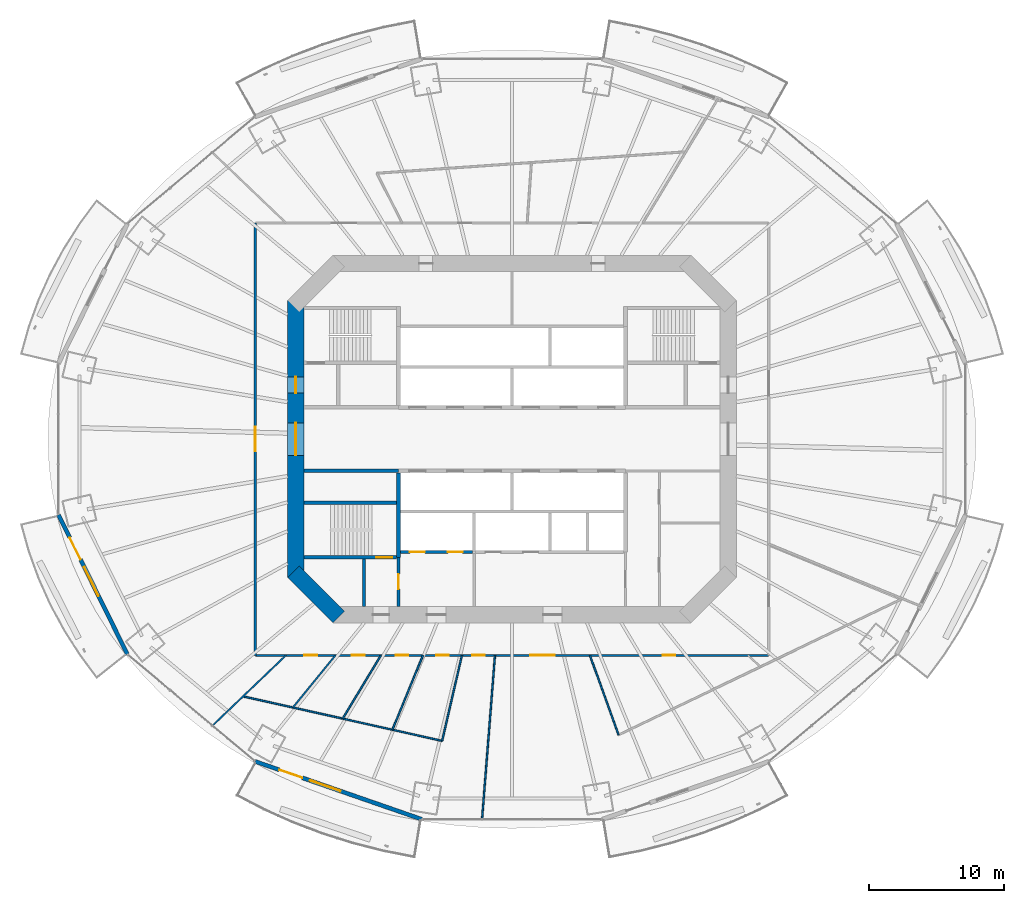
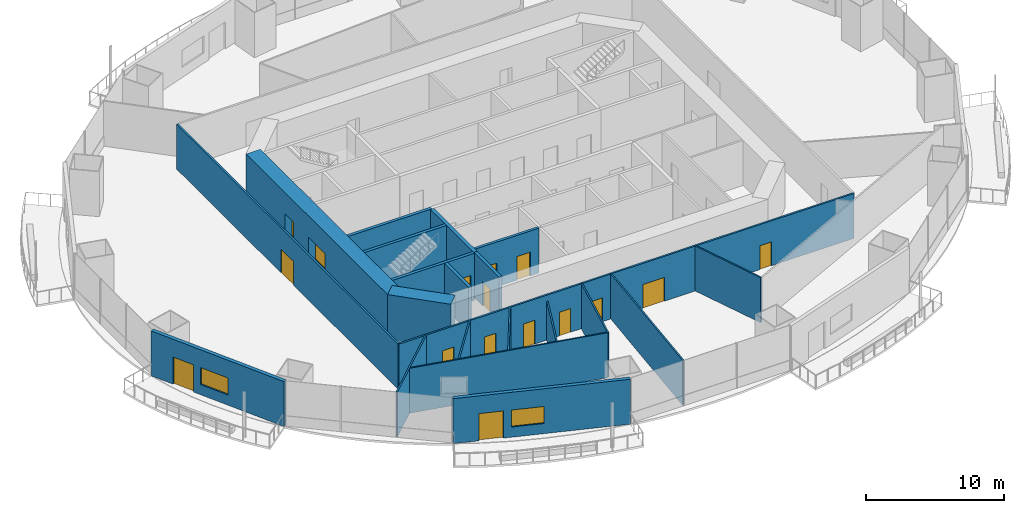
# One storey, part 13 of 22: 21 walls, 16 doors, 2 windows, 18 openings.
"""IFC4 building model written with IfcOpenShell, lengths in metres."""

from ifc_helpers import new_model, si_unit, direction, frame, frame_2d, origin, place, context, subcontext, project, spatial, rectangle, extrude, material, layer, layer_set, type_object, element, fill, save


model = new_model("IFC4")

# Units and contexts
model_context = context("Model", 3, precision=1e-05, world=origin(), true_north=direction((0.0, 1.0)))
body_context = subcontext(model_context, "Body", "Model", "MODEL_VIEW")
ifc_project = project(units=[si_unit("LENGTHUNIT", "METRE"), si_unit("AREAUNIT", "SQUARE_METRE"), si_unit("VOLUMEUNIT", "CUBIC_METRE"), si_unit("PLANEANGLEUNIT", "RADIAN"), si_unit("MASSUNIT", "GRAM", prefix="KILO")], contexts=[model_context])

# Site, building, storey
site_placement = place(None, origin())
site = spatial("IfcSite", under=ifc_project, at=site_placement, CompositionType="ELEMENT")
building_placement = place(site_placement, origin())
building = spatial("IfcBuilding", under=site, at=building_placement, Name="Marenthal Gate Tower", CompositionType="ELEMENT")
storey_placement = place(building_placement, frame((0.0, 0.0, 116.0)))
storey = spatial("IfcBuildingStorey", under=building, at=storey_placement, Name="L24", CompositionType="ELEMENT", Elevation=116.0)

# Wall, openings, doors
ifc_material_1 = material(Name="Concrete 60 MPa", Category="concrete")
ifc_layer_1 = layer(ifc_material_1, 1.199951171875)
ifc_layer_set_1 = layer_set([ifc_layer_1], Name="Core shear wall 1200")
wall_type_1 = type_object("IfcWallType", Name="Core shear wall 1200", PredefinedType="SHEAR", material=ifc_layer_set_1)
wall_1_placement = place(storey_placement, frame((-16.0, 10.24853515625, -0.179931640625), z_axis=(0.0, 0.0, 1.0), x_axis=(0.0, -1.0, 0.0)))
wall_1 = element("IfcWall", 1, at=wall_1_placement, inside=storey, type_object=wall_type_1, Name="Core wall 06", PredefinedType="SHEAR", context=body_context, shape_type="SweptSolid", body=[
    extrude(rectangle(XDim=20.4970703125, YDim=1.199951171875, at=frame_2d((10.24853515625, 0.0))), origin(), (0.0, 0.0, 1.0), 4.14990234375),
])
opening_1_placement = place(wall_1_placement, frame((9.048583984375, 0.0, 0.179931640625)))
opening_1 = element("IfcOpeningElement", 2, at=opening_1_placement, cuts=wall_1, Name="Opening D003.01", PredefinedType="OPENING", context=body_context, shape_type="SweptSolid", body=[
    extrude(rectangle(XDim=2.39990234375, YDim=2.10009765625, at=frame_2d((1.199951171875, 1.050048828125))), frame((0.0, 0.60986328125, 0.0), z_axis=(0.0, -1.0, 0.0), x_axis=(1.0, 0.0, 0.0)), (0.0, 0.0, 1.0), 1.219970703125),
])
opening_2_placement = place(wall_1_placement, frame((5.6484375, 0.0, 0.179931640625)))
opening_2 = element("IfcOpeningElement", 3, at=opening_2_placement, cuts=wall_1, Name="Opening D001.04", PredefinedType="OPENING", context=body_context, shape_type="SweptSolid", body=[
    extrude(rectangle(XDim=1.199951171875, YDim=2.10009765625, at=frame_2d((0.60009765625, 1.050048828125))), frame((0.0, 0.60986328125, 0.0), z_axis=(0.0, -1.0, 0.0), x_axis=(1.0, 0.0, 0.0)), (0.0, 0.0, 1.0), 1.219970703125),
])
ifc_material_2 = material(Name="Steel fire door", Category="steel")
door_type_1 = type_object("IfcDoorType", Name="Double fire door FD 45 2400 x 2100", OperationType="DOUBLE_DOOR_SINGLE_SWING", PredefinedType="DOOR", material=ifc_material_2)
door_1_placement = place(opening_1_placement, origin())
door_1 = element("IfcDoor", 4, at=door_1_placement, inside=storey, type_object=door_type_1, Name="Door D003.01", OperationType="DOUBLE_DOOR_SINGLE_SWING", OverallHeight=2.10009765625, OverallWidth=2.39990234375, PredefinedType="DOOR", context=body_context, shape_type="SweptSolid", body=[
    extrude(rectangle(XDim=2.39990234375, YDim=2.10009765625, at=frame_2d((1.199951171875, 1.050048828125))), frame((0.0, 0.02490234375, 0.0), z_axis=(0.0, -1.0, 0.0), x_axis=(1.0, 0.0, 0.0)), (0.0, 0.0, 1.0), 0.050048828125),
])
fill(opening_1, door_1)
ifc_material_3 = material(Name="Steel fire door", Category="steel")
door_type_2 = type_object("IfcDoorType", Name="Fire door FD 90 1200 x 2100", OperationType="NOTDEFINED", PredefinedType="DOOR", material=ifc_material_3)
door_2_placement = place(opening_2_placement, origin())
door_2 = element("IfcDoor", 5, at=door_2_placement, inside=storey, type_object=door_type_2, Name="Door D001.04", OperationType="SINGLE_SWING_RIGHT", OverallHeight=2.10009765625, OverallWidth=1.199951171875, PredefinedType="DOOR", context=body_context, shape_type="SweptSolid", body=[
    extrude(rectangle(XDim=1.199951171875, YDim=2.10009765625, at=frame_2d((0.60009765625, 1.050048828125))), frame((0.0, 0.02490234375, 0.0), z_axis=(0.0, -1.0, 0.0), x_axis=(1.0, 0.0, 0.0)), (0.0, 0.0, 1.0), 0.050048828125),
])
fill(opening_2, door_2)

# Walls
wall_2_placement = place(storey_placement, frame((-16.17578125, -9.82421875, -0.179931640625), z_axis=(0.0, 0.0, 1.0), x_axis=(0.707106781187, -0.707106781187, 0.0)))
element("IfcWall", 6, at=wall_2_placement, inside=storey, type_object=wall_type_1, Name="Core wall 07", PredefinedType="SHEAR", context=body_context, shape_type="SweptSolid", body=[
    extrude(rectangle(XDim=4.73974609375, YDim=1.199951171875, at=frame_2d((2.369873046875, 0.0))), origin(), (0.0, 0.0, 1.0), 4.14990234375),
])
ifc_material_4 = material(Name="Concrete 50 MPa", Category="concrete")
ifc_layer_2 = layer(ifc_material_4, 0.300048828125)
ifc_layer_set_2 = layer_set([ifc_layer_2], Name="Hoistway shear wall 300")
wall_type_2 = type_object("IfcWallType", Name="Hoistway shear wall 300", PredefinedType="SHEAR", material=ifc_layer_set_2)
wall_3_placement = place(storey_placement, frame((-8.39990234375, -8.75, -0.179931640625), z_axis=(0.0, 0.0, 1.0), x_axis=(0.0, 1.0, 0.0)))
element("IfcWall", 7, at=wall_3_placement, inside=storey, type_object=wall_type_2, Name="Hoistway wall 30", PredefinedType="SHEAR", context=body_context, shape_type="SweptSolid", body=[
    extrude(rectangle(XDim=6.25, YDim=0.300048828125, at=frame_2d((3.125, 0.0))), origin(), (0.0, 0.0, 1.0), 4.14990234375),
])

# Wall, openings, doors
ifc_material_5 = material(Name="Concrete 40 MPa", Category="concrete")
ifc_layer_3 = layer(ifc_material_5, 0.219970703125)
ifc_layer_set_3 = layer_set([ifc_layer_3], Name="Hoistway wall 220")
wall_type_3 = type_object("IfcWallType", Name="Hoistway wall 220", PredefinedType="STANDARD", material=ifc_layer_set_3)
wall_4_placement = place(storey_placement, frame((-8.25, -8.35009765625, 0.0), z_axis=(0.0, 0.0, 1.0), x_axis=(1.0, 0.0, 0.0)))
wall_4 = element("IfcWall", 8, at=wall_4_placement, inside=storey, type_object=wall_type_3, Name="Hoistway wall 10", PredefinedType="STANDARD", context=body_context, shape_type="SweptSolid", body=[
    extrude(rectangle(XDim=5.340087890625, YDim=0.219970703125, at=frame_2d((2.669921875, 0.0))), origin(), (0.0, 0.0, 1.0), 3.969970703125),
])
opening_3_placement = place(wall_4_placement, frame((0.699951171875, 0.0, 0.0)))
opening_3 = element("IfcOpeningElement", 9, at=opening_3_placement, cuts=wall_4, Name="Opening LD-LF1", PredefinedType="OPENING", context=body_context, shape_type="SweptSolid", body=[
    extrude(rectangle(XDim=1.10009765625, YDim=2.10009765625, at=frame_2d((0.550048828125, 1.050048828125))), frame((0.0, 0.1201171875, 0.0), z_axis=(0.0, -1.0, 0.0), x_axis=(1.0, 0.0, 0.0)), (0.0, 0.0, 1.0), 0.239990234375),
])
opening_4_placement = place(wall_4_placement, frame((3.5, 0.0, 0.0)))
opening_4 = element("IfcOpeningElement", 10, at=opening_4_placement, cuts=wall_4, Name="Opening LD-LF2", PredefinedType="OPENING", context=body_context, shape_type="SweptSolid", body=[
    extrude(rectangle(XDim=1.10009765625, YDim=2.10009765625, at=frame_2d((0.550048828125, 1.050048828125))), frame((0.0, 0.1201171875, 0.0), z_axis=(0.0, -1.0, 0.0), x_axis=(1.0, 0.0, 0.0)), (0.0, 0.0, 1.0), 0.239990234375),
])
ifc_material_6 = material(Name="Stainless steel sliding door", Category="steel")
door_type_3 = type_object("IfcDoorType", Name="Lift landing door FD 90 1100 x 2100", OperationType="DOUBLE_DOOR_SLIDING", PredefinedType="DOOR", material=ifc_material_6)
door_3_placement = place(opening_3_placement, origin())
door_3 = element("IfcDoor", 11, at=door_3_placement, inside=storey, type_object=door_type_3, Name="Lift landing door LF1", OperationType="DOUBLE_DOOR_SLIDING", OverallHeight=2.10009765625, OverallWidth=1.10009765625, PredefinedType="DOOR", context=body_context, shape_type="SweptSolid", body=[
    extrude(rectangle(XDim=1.10009765625, YDim=2.10009765625, at=frame_2d((0.550048828125, 1.050048828125))), frame((0.0, 0.02490234375, 0.0), z_axis=(0.0, -1.0, 0.0), x_axis=(1.0, 0.0, 0.0)), (0.0, 0.0, 1.0), 0.050048828125),
])
fill(opening_3, door_3)
door_4_placement = place(opening_4_placement, origin())
door_4 = element("IfcDoor", 12, at=door_4_placement, inside=storey, type_object=door_type_3, Name="Lift landing door LF2", OperationType="DOUBLE_DOOR_SLIDING", OverallHeight=2.10009765625, OverallWidth=1.10009765625, PredefinedType="DOOR", context=body_context, shape_type="SweptSolid", body=[
    extrude(rectangle(XDim=1.10009765625, YDim=2.10009765625, at=frame_2d((0.550048828125, 1.050048828125))), frame((0.0, 0.02490234375, 0.0), z_axis=(0.0, -1.0, 0.0), x_axis=(1.0, 0.0, 0.0)), (0.0, 0.0, 1.0), 0.050048828125),
])
fill(opening_4, door_4)

# Walls
ifc_material_7 = material(Name="Gypsum board on steel studs", Category="steel")
ifc_layer_4 = layer(ifc_material_7, 0.1201171875)
ifc_layer_set_4 = layer_set([ifc_layer_4], Name="Partition 120")
wall_type_4 = type_object("IfcWallType", Name="Partition 120", PredefinedType="PARTITIONING", material=ifc_layer_set_4)
wall_5_placement = place(storey_placement, frame((-19.902587890625, -19.039306640625, 0.0), z_axis=(0.0, 0.0, 1.0), x_axis=(0.975911899849, -0.218164991996, 0.0)))
element("IfcWall", 13, at=wall_5_placement, inside=storey, type_object=wall_type_4, Name="Partition wall 47", PredefinedType="PARTITIONING", context=body_context, shape_type="SweptSolid", body=[
    extrude(rectangle(XDim=15.094970703125, YDim=0.1201171875, at=frame_2d((7.54736328125, 0.0))), origin(), (0.0, 0.0, 1.0), 3.969970703125),
])
wall_6_placement = place(storey_placement, frame((-16.7255859375, -16.0, 0.0), z_axis=(0.0, 0.0, 1.0), x_axis=(-0.722599633889, -0.691266785767, 0.0)))
element("IfcWall", 14, at=wall_6_placement, inside=storey, type_object=wall_type_4, Name="Partition wall 50", PredefinedType="PARTITIONING", context=body_context, shape_type="SweptSolid", body=[
    extrude(rectangle(XDim=7.53466796875, YDim=0.1201171875, at=frame_2d((3.767333984375, 0.0))), origin(), (0.0, 0.0, 1.0), 3.969970703125),
])
wall_7_placement = place(storey_placement, frame((-16.2197265625, -19.862548828125, 0.0), z_axis=(0.0, 0.0, 1.0), x_axis=(0.632491004323, 0.774567704884, 0.0)))
element("IfcWall", 15, at=wall_7_placement, inside=storey, type_object=wall_type_4, Name="Partition wall 52", PredefinedType="PARTITIONING", context=body_context, shape_type="SweptSolid", body=[
    extrude(rectangle(XDim=4.98681640625, YDim=0.1201171875, at=frame_2d((2.493408203125, 0.0))), origin(), (0.0, 0.0, 1.0), 3.969970703125),
])
wall_8_placement = place(storey_placement, frame((-12.536865234375, -20.685791015625, 0.0), z_axis=(0.0, 0.0, 1.0), x_axis=(0.518297766023, 0.855200225523, 0.0)))
element("IfcWall", 16, at=wall_8_placement, inside=storey, type_object=wall_type_4, Name="Partition wall 53", PredefinedType="PARTITIONING", context=body_context, shape_type="SweptSolid", body=[
    extrude(rectangle(XDim=5.479248046875, YDim=0.1201171875, at=frame_2d((2.73974609375, 0.0))), origin(), (0.0, 0.0, 1.0), 3.969970703125),
])
wall_9_placement = place(storey_placement, frame((-8.85400390625, -21.509033203125, 0.0), z_axis=(0.0, 0.0, 1.0), x_axis=(0.380663236363, 0.92471373975, 0.0)))
element("IfcWall", 17, at=wall_9_placement, inside=storey, type_object=wall_type_4, Name="Partition wall 55", PredefinedType="PARTITIONING", context=body_context, shape_type="SweptSolid", body=[
    extrude(rectangle(XDim=5.95751953125, YDim=0.1201171875, at=frame_2d((2.978759765625, 0.0))), origin(), (0.0, 0.0, 1.0), 3.426025390625),
])
wall_10_placement = place(storey_placement, frame((-5.171142578125, -22.33251953125, 0.0), z_axis=(0.0, 0.0, 1.0), x_axis=(0.225583629602, 0.974223806964, 0.0)))
element("IfcWall", 18, at=wall_10_placement, inside=storey, type_object=wall_type_4, Name="Partition wall 56", PredefinedType="PARTITIONING", context=body_context, shape_type="SweptSolid", body=[
    extrude(rectangle(XDim=6.5, YDim=0.1201171875, at=frame_2d((3.25, 0.0))), origin(), (0.0, 0.0, 1.0), 3.969970703125),
])
wall_11_placement = place(storey_placement, frame((-1.260009765625, -16.0, 0.0), z_axis=(0.0, 0.0, 1.0), x_axis=(-0.078510530824, -0.996913284368, 0.0)))
element("IfcWall", 19, at=wall_11_placement, inside=storey, type_object=wall_type_4, Name="Partition wall 57", PredefinedType="PARTITIONING", context=body_context, shape_type="SweptSolid", body=[
    extrude(rectangle(XDim=12.17431640625, YDim=0.1201171875, at=frame_2d((6.087158203125, 0.0))), origin(), (0.0, 0.0, 1.0), 3.969970703125),
])
wall_12_placement = place(storey_placement, frame((7.887451171875, -21.892333984375, 0.0), z_axis=(0.0, 0.0, 1.0), x_axis=(-0.338974817015, 0.940795447177, 0.0)))
element("IfcWall", 20, at=wall_12_placement, inside=storey, type_object=wall_type_4, Name="Partition wall 60", PredefinedType="PARTITIONING", context=body_context, shape_type="SweptSolid", body=[
    extrude(rectangle(XDim=6.26318359375, YDim=0.1201171875, at=frame_2d((3.131591796875, 0.0))), origin(), (0.0, 0.0, 1.0), 3.969970703125),
])

# Wall, opening, door
ifc_material_8 = material(Name="Gypsum board on steel studs", Category="steel")
ifc_layer_5 = layer(ifc_material_8, 0.14990234375)
ifc_layer_set_5 = layer_set([ifc_layer_5], Name="Partition 150")
wall_type_5 = type_object("IfcWallType", Name="Partition 150", PredefinedType="PARTITIONING", material=ifc_layer_set_5)
wall_13_placement = place(storey_placement, frame((-19.0, -16.0, 0.0), z_axis=(0.0, 0.0, 1.0), x_axis=(0.0, 1.0, 0.0)))
wall_13 = element("IfcWall", 21, at=wall_13_placement, inside=storey, type_object=wall_type_5, Name="Partition wall 48", PredefinedType="PARTITIONING", context=body_context, shape_type="SweptSolid", body=[
    extrude(rectangle(XDim=32.0, YDim=0.14990234375, at=frame_2d((16.0, 0.0))), origin(), (0.0, 0.0, 1.0), 3.969970703125),
])
opening_5_placement = place(wall_13_placement, frame((15.10009765625, 0.0, 0.0)))
opening_5 = element("IfcOpeningElement", 22, at=opening_5_placement, cuts=wall_13, Name="Opening D014.02", PredefinedType="OPENING", context=body_context, shape_type="SweptSolid", body=[
    extrude(rectangle(XDim=1.800048828125, YDim=2.10009765625, at=frame_2d((0.89990234375, 1.050048828125))), frame((0.0, 0.0849609375, 0.0), z_axis=(0.0, -1.0, 0.0), x_axis=(1.0, 0.0, 0.0)), (0.0, 0.0, 1.0), 0.169921875),
])
ifc_material_9 = material(Name="Timber door", Category="wood")
door_type_4 = type_object("IfcDoorType", Name="Double door 1800 x 2100", OperationType="DOUBLE_DOOR_SINGLE_SWING", PredefinedType="DOOR", material=ifc_material_9)
door_5_placement = place(opening_5_placement, origin())
door_5 = element("IfcDoor", 23, at=door_5_placement, inside=storey, type_object=door_type_4, Name="Door D014.02", OperationType="DOUBLE_DOOR_SINGLE_SWING", OverallHeight=2.10009765625, OverallWidth=1.800048828125, PredefinedType="DOOR", context=body_context, shape_type="SweptSolid", body=[
    extrude(rectangle(XDim=1.800048828125, YDim=2.10009765625, at=frame_2d((0.89990234375, 1.050048828125))), frame((0.0, 0.02490234375, 0.0), z_axis=(0.0, -1.0, 0.0), x_axis=(1.0, 0.0, 0.0)), (0.0, 0.0, 1.0), 0.050048828125),
])
fill(opening_5, door_5)

# Wall, openings, doors
wall_14_placement = place(storey_placement, frame((19.0, -16.0, 0.0), z_axis=(0.0, 0.0, 1.0), x_axis=(-1.0, 0.0, 0.0)))
wall_14 = element("IfcWall", 24, at=wall_14_placement, inside=storey, type_object=wall_type_5, Name="Partition wall 64", PredefinedType="PARTITIONING", context=body_context, shape_type="SweptSolid", body=[
    extrude(rectangle(XDim=38.0, YDim=0.14990234375, at=frame_2d((19.0, 0.0))), origin(), (0.0, 0.0, 1.0), 3.969970703125),
])
opening_6_placement = place(wall_14_placement, frame((33.4208984375, 0.0, 0.0)))
opening_6 = element("IfcOpeningElement", 25, at=opening_6_placement, cuts=wall_14, Name="Opening D016.03", PredefinedType="OPENING", context=body_context, shape_type="SweptSolid", body=[
    extrude(rectangle(XDim=0.949951171875, YDim=2.10009765625, at=frame_2d((0.47509765625, 1.050048828125))), frame((0.0, 0.0849609375, 0.0), z_axis=(0.0, -1.0, 0.0), x_axis=(1.0, 0.0, 0.0)), (0.0, 0.0, 1.0), 0.169921875),
])
opening_7_placement = place(wall_14_placement, frame((29.906982421875, 0.0, 0.0)))
opening_7 = element("IfcOpeningElement", 26, at=opening_7_placement, cuts=wall_14, Name="Opening D016.04", PredefinedType="OPENING", context=body_context, shape_type="SweptSolid", body=[
    extrude(rectangle(XDim=0.949951171875, YDim=2.10009765625, at=frame_2d((0.47509765625, 1.050048828125))), frame((0.0, 0.0849609375, 0.0), z_axis=(0.0, -1.0, 0.0), x_axis=(1.0, 0.0, 0.0)), (0.0, 0.0, 1.0), 0.169921875),
])
opening_8_placement = place(wall_14_placement, frame((26.666015625, 0.0, 0.0)))
opening_8 = element("IfcOpeningElement", 27, at=opening_8_placement, cuts=wall_14, Name="Opening D016.05", PredefinedType="OPENING", context=body_context, shape_type="SweptSolid", body=[
    extrude(rectangle(XDim=0.949951171875, YDim=2.10009765625, at=frame_2d((0.47509765625, 1.050048828125))), frame((0.0, 0.0849609375, 0.0), z_axis=(0.0, -1.0, 0.0), x_axis=(1.0, 0.0, 0.0)), (0.0, 0.0, 1.0), 0.169921875),
])
opening_9_placement = place(wall_14_placement, frame((23.669921875, 0.0, 0.0)))
opening_9 = element("IfcOpeningElement", 28, at=opening_9_placement, cuts=wall_14, Name="Opening D016.06", PredefinedType="OPENING", context=body_context, shape_type="SweptSolid", body=[
    extrude(rectangle(XDim=0.949951171875, YDim=2.10009765625, at=frame_2d((0.47509765625, 1.050048828125))), frame((0.0, 0.0849609375, 0.0), z_axis=(0.0, -1.0, 0.0), x_axis=(1.0, 0.0, 0.0)), (0.0, 0.0, 1.0), 0.169921875),
])
opening_10_placement = place(wall_14_placement, frame((21.008056640625, 0.0, 0.0)))
opening_10 = element("IfcOpeningElement", 29, at=opening_10_placement, cuts=wall_14, Name="Opening D016.07", PredefinedType="OPENING", context=body_context, shape_type="SweptSolid", body=[
    extrude(rectangle(XDim=0.949951171875, YDim=2.10009765625, at=frame_2d((0.47509765625, 1.050048828125))), frame((0.0, 0.0849609375, 0.0), z_axis=(0.0, -1.0, 0.0), x_axis=(1.0, 0.0, 0.0)), (0.0, 0.0, 1.0), 0.169921875),
])
opening_11_placement = place(wall_14_placement, frame((6.912109375, 0.0, 0.0)))
opening_11 = element("IfcOpeningElement", 30, at=opening_11_placement, cuts=wall_14, Name="Opening D016.08", PredefinedType="OPENING", context=body_context, shape_type="SweptSolid", body=[
    extrude(rectangle(XDim=0.949951171875, YDim=2.10009765625, at=frame_2d((0.47509765625, 1.050048828125))), frame((0.0, 0.0849609375, 0.0), z_axis=(0.0, -1.0, 0.0), x_axis=(1.0, 0.0, 0.0)), (0.0, 0.0, 1.0), 0.169921875),
])
opening_12_placement = place(wall_14_placement, frame((15.847900390625, 0.0, 0.0)))
opening_12 = element("IfcOpeningElement", 31, at=opening_12_placement, cuts=wall_14, Name="Opening D014.03", PredefinedType="OPENING", context=body_context, shape_type="SweptSolid", body=[
    extrude(rectangle(XDim=1.800048828125, YDim=2.10009765625, at=frame_2d((0.89990234375, 1.050048828125))), frame((0.0, 0.0849609375, 0.0), z_axis=(0.0, -1.0, 0.0), x_axis=(1.0, 0.0, 0.0)), (0.0, 0.0, 1.0), 0.169921875),
])
ifc_material_10 = material(Name="Timber door", Category="wood")
door_type_5 = type_object("IfcDoorType", Name="Door 950 x 2100", OperationType="NOTDEFINED", PredefinedType="DOOR", material=ifc_material_10)
door_6_placement = place(opening_6_placement, origin())
door_6 = element("IfcDoor", 32, at=door_6_placement, inside=storey, type_object=door_type_5, Name="Door D016.03", OperationType="SINGLE_SWING_RIGHT", OverallHeight=2.10009765625, OverallWidth=0.949951171875, PredefinedType="DOOR", context=body_context, shape_type="SweptSolid", body=[
    extrude(rectangle(XDim=0.949951171875, YDim=2.10009765625, at=frame_2d((0.47509765625, 1.050048828125))), frame((0.0, 0.02490234375, 0.0), z_axis=(0.0, -1.0, 0.0), x_axis=(1.0, 0.0, 0.0)), (0.0, 0.0, 1.0), 0.050048828125),
])
fill(opening_6, door_6)
door_7_placement = place(opening_7_placement, origin())
door_7 = element("IfcDoor", 33, at=door_7_placement, inside=storey, type_object=door_type_5, Name="Door D016.04", OperationType="SINGLE_SWING_RIGHT", OverallHeight=2.10009765625, OverallWidth=0.949951171875, PredefinedType="DOOR", context=body_context, shape_type="SweptSolid", body=[
    extrude(rectangle(XDim=0.949951171875, YDim=2.10009765625, at=frame_2d((0.47509765625, 1.050048828125))), frame((0.0, 0.02490234375, 0.0), z_axis=(0.0, -1.0, 0.0), x_axis=(1.0, 0.0, 0.0)), (0.0, 0.0, 1.0), 0.050048828125),
])
fill(opening_7, door_7)
door_8_placement = place(opening_8_placement, origin())
door_8 = element("IfcDoor", 34, at=door_8_placement, inside=storey, type_object=door_type_5, Name="Door D016.05", OperationType="SINGLE_SWING_RIGHT", OverallHeight=2.10009765625, OverallWidth=0.949951171875, PredefinedType="DOOR", context=body_context, shape_type="SweptSolid", body=[
    extrude(rectangle(XDim=0.949951171875, YDim=2.10009765625, at=frame_2d((0.47509765625, 1.050048828125))), frame((0.0, 0.02490234375, 0.0), z_axis=(0.0, -1.0, 0.0), x_axis=(1.0, 0.0, 0.0)), (0.0, 0.0, 1.0), 0.050048828125),
])
fill(opening_8, door_8)
door_9_placement = place(opening_9_placement, origin())
door_9 = element("IfcDoor", 35, at=door_9_placement, inside=storey, type_object=door_type_5, Name="Door D016.06", OperationType="SINGLE_SWING_RIGHT", OverallHeight=2.10009765625, OverallWidth=0.949951171875, PredefinedType="DOOR", context=body_context, shape_type="SweptSolid", body=[
    extrude(rectangle(XDim=0.949951171875, YDim=2.10009765625, at=frame_2d((0.47509765625, 1.050048828125))), frame((0.0, 0.02490234375, 0.0), z_axis=(0.0, -1.0, 0.0), x_axis=(1.0, 0.0, 0.0)), (0.0, 0.0, 1.0), 0.050048828125),
])
fill(opening_9, door_9)
door_10_placement = place(opening_10_placement, origin())
door_10 = element("IfcDoor", 36, at=door_10_placement, inside=storey, type_object=door_type_5, Name="Door D016.07", OperationType="SINGLE_SWING_RIGHT", OverallHeight=2.10009765625, OverallWidth=0.949951171875, PredefinedType="DOOR", context=body_context, shape_type="SweptSolid", body=[
    extrude(rectangle(XDim=0.949951171875, YDim=2.10009765625, at=frame_2d((0.47509765625, 1.050048828125))), frame((0.0, 0.02490234375, 0.0), z_axis=(0.0, -1.0, 0.0), x_axis=(1.0, 0.0, 0.0)), (0.0, 0.0, 1.0), 0.050048828125),
])
fill(opening_10, door_10)
door_11_placement = place(opening_11_placement, origin())
door_11 = element("IfcDoor", 37, at=door_11_placement, inside=storey, type_object=door_type_5, Name="Door D016.08", OperationType="SINGLE_SWING_RIGHT", OverallHeight=2.10009765625, OverallWidth=0.949951171875, PredefinedType="DOOR", context=body_context, shape_type="SweptSolid", body=[
    extrude(rectangle(XDim=0.949951171875, YDim=2.10009765625, at=frame_2d((0.47509765625, 1.050048828125))), frame((0.0, 0.02490234375, 0.0), z_axis=(0.0, -1.0, 0.0), x_axis=(1.0, 0.0, 0.0)), (0.0, 0.0, 1.0), 0.050048828125),
])
fill(opening_11, door_11)
door_12_placement = place(opening_12_placement, origin())
door_12 = element("IfcDoor", 38, at=door_12_placement, inside=storey, type_object=door_type_4, Name="Door D014.03", OperationType="DOUBLE_DOOR_SINGLE_SWING", OverallHeight=2.10009765625, OverallWidth=1.800048828125, PredefinedType="DOOR", context=body_context, shape_type="SweptSolid", body=[
    extrude(rectangle(XDim=1.800048828125, YDim=2.10009765625, at=frame_2d((0.89990234375, 1.050048828125))), frame((0.0, 0.02490234375, 0.0), z_axis=(0.0, -1.0, 0.0), x_axis=(1.0, 0.0, 0.0)), (0.0, 0.0, 1.0), 0.050048828125),
])
fill(opening_12, door_12)

# Walls
ifc_material_11 = material(Name="Concrete 40 MPa", Category="concrete")
ifc_layer_6 = layer(ifc_material_11, 0.25)
ifc_layer_set_6 = layer_set([ifc_layer_6], Name="Stair enclosure wall 250")
wall_type_6 = type_object("IfcWallType", Name="Stair enclosure wall 250", PredefinedType="STANDARD", material=ifc_layer_set_6)
wall_15_placement = place(storey_placement, frame((-15.39990234375, -2.35009765625, 0.0), z_axis=(0.0, 0.0, 1.0), x_axis=(1.0, 0.0, 0.0)))
element("IfcWall", 39, at=wall_15_placement, inside=storey, type_object=wall_type_6, Name="Stair wall 15", PredefinedType="STANDARD", context=body_context, shape_type="SweptSolid", body=[
    extrude(rectangle(XDim=7.0, YDim=0.25, at=frame_2d((3.5, 0.0))), origin(), (0.0, 0.0, 1.0), 3.969970703125),
])
wall_16_placement = place(storey_placement, frame((-10.949951171875, -12.39990234375, 0.0), z_axis=(0.0, 0.0, 1.0), x_axis=(0.0, 1.0, 0.0)))
element("IfcWall", 40, at=wall_16_placement, inside=storey, type_object=wall_type_6, Name="Stair wall 28", PredefinedType="STANDARD", context=body_context, shape_type="SweptSolid", body=[
    extrude(rectangle(XDim=3.52490234375, YDim=0.25, at=frame_2d((1.762451171875, 0.0))), origin(), (0.0, 0.0, 1.0), 3.969970703125),
])

# Wall, opening, door
wall_17_placement = place(storey_placement, frame((-8.39990234375, -12.39990234375, 0.0), z_axis=(0.0, 0.0, 1.0), x_axis=(0.0, 1.0, 0.0)))
wall_17 = element("IfcWall", 41, at=wall_17_placement, inside=storey, type_object=wall_type_6, Name="Stair wall 29", PredefinedType="STANDARD", context=body_context, shape_type="SweptSolid", body=[
    extrude(rectangle(XDim=3.64990234375, YDim=0.25, at=frame_2d((1.824951171875, 0.0))), origin(), (0.0, 0.0, 1.0), 3.969970703125),
])
opening_13_placement = place(wall_17_placement, frame((1.300048828125, 0.0, 0.0)))
opening_13 = element("IfcOpeningElement", 42, at=opening_13_placement, cuts=wall_17, Name="Opening D002.01", PredefinedType="OPENING", context=body_context, shape_type="SweptSolid", body=[
    extrude(rectangle(XDim=1.10009765625, YDim=2.10009765625, at=frame_2d((0.550048828125, 1.050048828125))), frame((0.0, 0.135009765625, 0.0), z_axis=(0.0, -1.0, 0.0), x_axis=(1.0, 0.0, 0.0)), (0.0, 0.0, 1.0), 0.27001953125),
])
ifc_material_12 = material(Name="Steel fire door", Category="steel")
door_type_6 = type_object("IfcDoorType", Name="Fire door FD 90 1100 x 2100", OperationType="NOTDEFINED", PredefinedType="DOOR", material=ifc_material_12)
door_13_placement = place(opening_13_placement, origin())
door_13 = element("IfcDoor", 43, at=door_13_placement, inside=storey, type_object=door_type_6, Name="Door D002.01", OperationType="SINGLE_SWING_RIGHT", OverallHeight=2.10009765625, OverallWidth=1.10009765625, PredefinedType="DOOR", context=body_context, shape_type="SweptSolid", body=[
    extrude(rectangle(XDim=1.10009765625, YDim=2.10009765625, at=frame_2d((0.550048828125, 1.050048828125))), frame((0.0, 0.02490234375, 0.0), z_axis=(0.0, -1.0, 0.0), x_axis=(1.0, 0.0, 0.0)), (0.0, 0.0, 1.0), 0.050048828125),
])
fill(opening_13, door_13)

ifc_material_13 = material(Name="Concrete 50 MPa", Category="concrete")
ifc_layer_7 = layer(ifc_material_13, 0.25)
ifc_layer_set_7 = layer_set([ifc_layer_7], Name="Stair shear wall 250")
wall_type_7 = type_object("IfcWallType", Name="Stair shear wall 250", PredefinedType="SHEAR", material=ifc_layer_set_7)
wall_18_placement = place(storey_placement, frame((-15.39990234375, -8.75, -0.179931640625), z_axis=(0.0, 0.0, 1.0), x_axis=(1.0, 0.0, 0.0)))
wall_18 = element("IfcWall", 44, at=wall_18_placement, inside=storey, type_object=wall_type_7, Name="Stair wall 09", PredefinedType="SHEAR", context=body_context, shape_type="SweptSolid", body=[
    extrude(rectangle(XDim=6.849853515625, YDim=0.25, at=frame_2d((3.4248046875, 0.0))), origin(), (0.0, 0.0, 1.0), 4.14990234375),
])
opening_14_placement = place(wall_18_placement, frame((5.35009765625, 0.0, 0.179931640625)))
opening_14 = element("IfcOpeningElement", 45, at=opening_14_placement, cuts=wall_18, Name="Opening D001.03", PredefinedType="OPENING", context=body_context, shape_type="SweptSolid", body=[
    extrude(rectangle(XDim=1.199951171875, YDim=2.10009765625, at=frame_2d((0.60009765625, 1.050048828125))), frame((0.0, 0.135009765625, 0.0), z_axis=(0.0, -1.0, 0.0), x_axis=(1.0, 0.0, 0.0)), (0.0, 0.0, 1.0), 0.27001953125),
])
door_14_placement = place(opening_14_placement, origin())
door_14 = element("IfcDoor", 46, at=door_14_placement, inside=storey, type_object=door_type_2, Name="Door D001.03", OperationType="SINGLE_SWING_RIGHT", OverallHeight=2.10009765625, OverallWidth=1.199951171875, PredefinedType="DOOR", context=body_context, shape_type="SweptSolid", body=[
    extrude(rectangle(XDim=1.199951171875, YDim=2.10009765625, at=frame_2d((0.60009765625, 1.050048828125))), frame((0.0, 0.02490234375, 0.0), z_axis=(0.0, -1.0, 0.0), x_axis=(1.0, 0.0, 0.0)), (0.0, 0.0, 1.0), 0.050048828125),
])
fill(opening_14, door_14)

# Wall
wall_19_placement = place(storey_placement, frame((-15.39990234375, -4.699951171875, -0.179931640625), z_axis=(0.0, 0.0, 1.0), x_axis=(1.0, 0.0, 0.0)))
element("IfcWall", 47, at=wall_19_placement, inside=storey, type_object=wall_type_7, Name="Stair wall 14", PredefinedType="SHEAR", context=body_context, shape_type="SweptSolid", body=[
    extrude(rectangle(XDim=6.849853515625, YDim=0.25, at=frame_2d((3.4248046875, 0.0))), origin(), (0.0, 0.0, 1.0), 4.14990234375),
])

# Wall, openings, door, window
ifc_material_14 = material(Name="Terracotta cladding on insulated concrete-block backing", Category="masonry")
ifc_layer_8 = layer(ifc_material_14, 0.300048828125)
ifc_layer_set_8 = layer_set([ifc_layer_8], Name="Terracotta facade wall 300")
wall_type_8 = type_object("IfcWallType", Name="Terracotta facade wall 300", PredefinedType="SOLIDWALL", material=ifc_layer_set_8)
wall_20_placement = place(storey_placement, frame((-33.568359375, -5.5966796875, 0.0), z_axis=(0.0, 0.0, 1.0), x_axis=(0.443018089739, -0.896512672618, 0.0)))
wall_20 = element("IfcWall", 48, at=wall_20_placement, inside=storey, type_object=wall_type_8, Name="Terracotta facade wall L24 bay 9", PredefinedType="SOLIDWALL", context=body_context, shape_type="SweptSolid", body=[
    extrude(rectangle(XDim=11.535400390625, YDim=0.300048828125, at=frame_2d((5.767578125, 0.0))), origin(), (0.0, 0.0, 1.0), 3.969970703125),
])
opening_15_placement = place(wall_20_placement, frame((1.89990234375, 0.0, 0.0)))
opening_15 = element("IfcOpeningElement", 49, at=opening_15_placement, cuts=wall_20, Name="Opening BD-L24-09", PredefinedType="OPENING", context=body_context, shape_type="SweptSolid", body=[
    extrude(rectangle(XDim=1.800048828125, YDim=2.39990234375, at=frame_2d((0.89990234375, 1.199951171875))), frame((0.0, 0.16015625, 0.0), z_axis=(0.0, -1.0, 0.0), x_axis=(1.0, 0.0, 0.0)), (0.0, 0.0, 1.0), 0.320068359375),
])
opening_16_placement = place(wall_20_placement, frame((4.300048828125, 0.0, 0.89990234375)))
opening_16 = element("IfcOpeningElement", 50, at=opening_16_placement, cuts=wall_20, Name="Opening WN1-L24-09", PredefinedType="OPENING", context=body_context, shape_type="SweptSolid", body=[
    extrude(rectangle(XDim=2.39990234375, YDim=1.5, at=frame_2d((1.199951171875, 0.75))), frame((0.0, 0.16015625, 0.0), z_axis=(0.0, -1.0, 0.0), x_axis=(1.0, 0.0, 0.0)), (0.0, 0.0, 1.0), 0.320068359375),
])
ifc_material_15 = material(Name="Aluminium and glass", Category="aluminium")
door_type_7 = type_object("IfcDoorType", Name="Balcony door 1800x2400", OperationType="DOUBLE_DOOR_SINGLE_SWING", PredefinedType="DOOR", material=ifc_material_15)
door_15_placement = place(opening_15_placement, origin())
door_15 = element("IfcDoor", 51, at=door_15_placement, inside=storey, type_object=door_type_7, Name="Balcony door L24 bay 9", OperationType="SINGLE_SWING_LEFT", OverallHeight=2.39990234375, OverallWidth=1.800048828125, PredefinedType="DOOR", context=body_context, shape_type="SweptSolid", body=[
    extrude(rectangle(XDim=1.800048828125, YDim=2.39990234375, at=frame_2d((0.89990234375, 1.199951171875))), frame((0.0, 0.02490234375, 0.0), z_axis=(0.0, -1.0, 0.0), x_axis=(1.0, 0.0, 0.0)), (0.0, 0.0, 1.0), 0.050048828125),
])
fill(opening_15, door_15)
ifc_material_16 = material(Name="Aluminium and glass", Category="aluminium")
window_type = type_object("IfcWindowType", Name="Window 2400x1500", PartitioningType="TRIPLE_PANEL_VERTICAL", PredefinedType="WINDOW", material=ifc_material_16)
window_1_placement = place(opening_16_placement, origin())
window_1 = element("IfcWindow", 52, at=window_1_placement, inside=storey, type_object=window_type, Name="Window L24 bay 9", OverallHeight=1.5, OverallWidth=2.39990234375, PartitioningType="SINGLE_PANEL", PredefinedType="WINDOW", context=body_context, shape_type="SweptSolid", body=[
    extrude(rectangle(XDim=2.39990234375, YDim=1.5, at=frame_2d((1.199951171875, 0.75))), frame((0.0, 0.030029296875, 0.0), z_axis=(0.0, -1.0, 0.0), x_axis=(1.0, 0.0, 0.0)), (0.0, 0.0, 1.0), 0.06005859375),
])
fill(opening_16, window_1)

wall_21_placement = place(storey_placement, frame((-19.014892578125, -23.853271484375, 0.0), z_axis=(0.0, 0.0, 1.0), x_axis=(0.944684524645, -0.327980409318, 0.0)))
wall_21 = element("IfcWall", 53, at=wall_21_placement, inside=storey, type_object=wall_type_8, Name="Terracotta facade wall L24 bay 11", PredefinedType="SOLIDWALL", context=body_context, shape_type="SweptSolid", body=[
    extrude(rectangle(XDim=13.06005859375, YDim=0.300048828125, at=frame_2d((6.530029296875, 0.0))), origin(), (0.0, 0.0, 1.0), 3.969970703125),
])
opening_17_placement = place(wall_21_placement, frame((1.89990234375, 0.0, 0.0)))
opening_17 = element("IfcOpeningElement", 54, at=opening_17_placement, cuts=wall_21, Name="Opening BD-L24-11", PredefinedType="OPENING", context=body_context, shape_type="SweptSolid", body=[
    extrude(rectangle(XDim=1.800048828125, YDim=2.39990234375, at=frame_2d((0.89990234375, 1.199951171875))), frame((0.0, 0.16015625, 0.0), z_axis=(0.0, -1.0, 0.0), x_axis=(1.0, 0.0, 0.0)), (0.0, 0.0, 1.0), 0.320068359375),
])
opening_18_placement = place(wall_21_placement, frame((4.300048828125, 0.0, 0.89990234375)))
opening_18 = element("IfcOpeningElement", 55, at=opening_18_placement, cuts=wall_21, Name="Opening WN1-L24-11", PredefinedType="OPENING", context=body_context, shape_type="SweptSolid", body=[
    extrude(rectangle(XDim=2.39990234375, YDim=1.5, at=frame_2d((1.199951171875, 0.75))), frame((0.0, 0.16015625, 0.0), z_axis=(0.0, -1.0, 0.0), x_axis=(1.0, 0.0, 0.0)), (0.0, 0.0, 1.0), 0.320068359375),
])
door_16_placement = place(opening_17_placement, origin())
door_16 = element("IfcDoor", 56, at=door_16_placement, inside=storey, type_object=door_type_7, Name="Balcony door L24 bay 11", OperationType="SINGLE_SWING_LEFT", OverallHeight=2.39990234375, OverallWidth=1.800048828125, PredefinedType="DOOR", context=body_context, shape_type="SweptSolid", body=[
    extrude(rectangle(XDim=1.800048828125, YDim=2.39990234375, at=frame_2d((0.89990234375, 1.199951171875))), frame((0.0, 0.02490234375, 0.0), z_axis=(0.0, -1.0, 0.0), x_axis=(1.0, 0.0, 0.0)), (0.0, 0.0, 1.0), 0.050048828125),
])
fill(opening_17, door_16)
window_2_placement = place(opening_18_placement, origin())
window_2 = element("IfcWindow", 57, at=window_2_placement, inside=storey, type_object=window_type, Name="Window L24 bay 11", OverallHeight=1.5, OverallWidth=2.39990234375, PartitioningType="SINGLE_PANEL", PredefinedType="WINDOW", context=body_context, shape_type="SweptSolid", body=[
    extrude(rectangle(XDim=2.39990234375, YDim=1.5, at=frame_2d((1.199951171875, 0.75))), frame((0.0, 0.030029296875, 0.0), z_axis=(0.0, -1.0, 0.0), x_axis=(1.0, 0.0, 0.0)), (0.0, 0.0, 1.0), 0.06005859375),
])
fill(opening_18, window_2)

save(model, "model.ifc")
